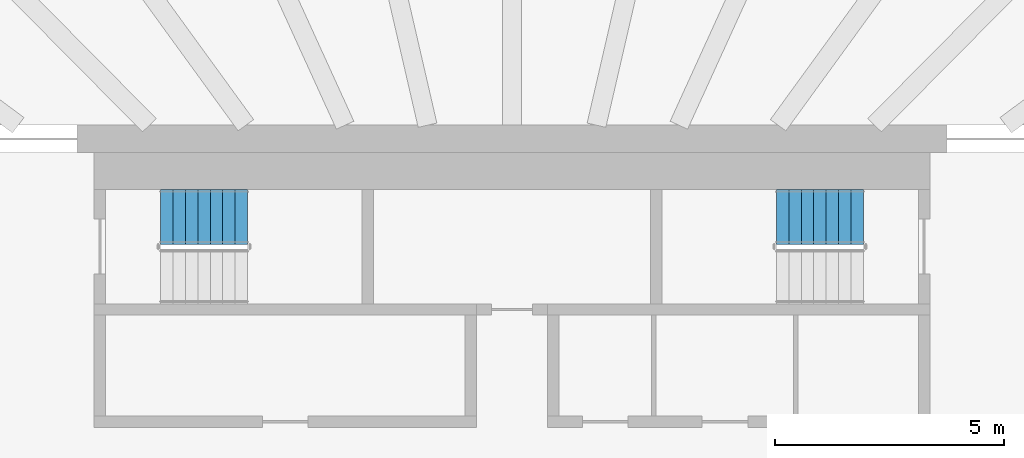
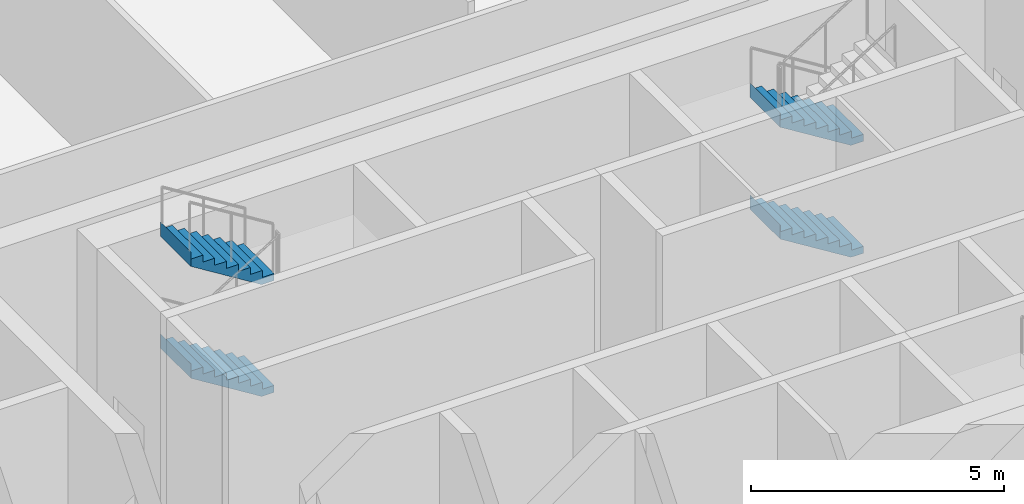
# One storey, part 11 of 18: 4 stair flights, 2 elements without a shape of their own.
"""IFC4 building model written with IfcOpenShell, lengths in metres."""

from ifc_helpers import new_model, si_unit, direction, frame, origin, place, context, subcontext, project, spatial, triangles, material, type_object, element, aggregate, save


model = new_model("IFC4")

# Units and contexts
model_context = context("Model", 3, precision=1e-05, world=origin(), true_north=direction((0.0, 1.0)))
body_context = subcontext(model_context, "Body", "Model", "MODEL_VIEW")
ifc_project = project(units=[si_unit("LENGTHUNIT", "METRE"), si_unit("AREAUNIT", "SQUARE_METRE"), si_unit("VOLUMEUNIT", "CUBIC_METRE"), si_unit("PLANEANGLEUNIT", "RADIAN"), si_unit("MASSUNIT", "GRAM", prefix="KILO")], contexts=[model_context])

# Site, building, storey
site_placement = place(None, origin())
site = spatial("IfcSite", under=ifc_project, at=site_placement, CompositionType="ELEMENT")
building_placement = place(site_placement, origin())
building = spatial("IfcBuilding", under=site, at=building_placement, Name="Sahrelin Media Tower", CompositionType="ELEMENT")
storey_placement = place(building_placement, frame((0.0, 0.0, 96.60009765625)))
storey = spatial("IfcBuildingStorey", under=building, at=storey_placement, Name="L18", CompositionType="ELEMENT", Elevation=96.60009765625)

# Stair, stair flights
ifc_material = material(Name="Concrete C40/50", Category="concrete")
stair_type = type_object("IfcStairType", Name="Exit stair 1200", PredefinedType="HALF_TURN_STAIR", material=ifc_material)
placement = place(storey_placement, origin())
stair_1 = element("IfcStair", 1, at=placement, inside=storey, type_object=stair_type, Name="L18 Exit stair ST1", PredefinedType="HALF_TURN_STAIR")
stair_flight_type = type_object("IfcStairFlightType", Name="Stair flight 1200", PredefinedType="STRAIGHT", material=ifc_material)
stair_flight_1_placement = place(storey_placement, frame((-5.77490234375, 6.0, 1.349853515625), z_axis=(0.0, 0.0, 1.0), x_axis=(-1.0, 0.0, 0.0)))
stair_flight_1 = element("IfcStairFlight", 2, at=stair_flight_1_placement, type_object=stair_flight_type, Name="ST1 flight 2", NumberOfRisers=8, NumberOfTreads=7, PredefinedType="STRAIGHT", RiserHeight=0.16875, TreadLength=0.271428571, context=body_context, shape_type="Tessellation", body=[
    triangles([(0.283935546875, 0.60009765625, 0.0), (0.283935546875, 0.300048828125, 0.0), (0.283935546875, 0.0, 0.0), (0.283935546875, -0.300048828125, 0.0), (0.283935546875, -0.60009765625, 0.0), (1.89990234375, 0.60009765625, 1.004638671875), (1.89990234375, 0.300048828125, 1.004638671875), (1.89990234375, 0.0, 1.004638671875), (1.89990234375, -0.300048828125, 1.004638671875), (1.89990234375, -0.60009765625, 1.004638671875), (1.89990234375, 0.60009765625, 1.35009765625), (1.89990234375, 0.300048828125, 1.35009765625), (1.89990234375, 0.0, 1.35009765625), (1.89990234375, -0.300048828125, 1.35009765625), (1.89990234375, -0.60009765625, 1.35009765625), (1.89794921875, 0.60009765625, 1.35009765625), (1.89794921875, 0.300048828125, 1.35009765625), (1.89794921875, 0.0, 1.35009765625), (1.89794921875, -0.300048828125, 1.35009765625), (1.89794921875, -0.60009765625, 1.35009765625), (1.89794921875, 0.60009765625, 1.18115234375), (1.89794921875, 0.300048828125, 1.18115234375), (1.89794921875, 0.0, 1.18115234375), (1.89794921875, -0.300048828125, 1.18115234375), (1.89794921875, -0.60009765625, 1.18115234375), (1.628662109375, 0.60009765625, 1.18115234375), (1.628662109375, 0.300048828125, 1.18115234375), (1.628662109375, 0.0, 1.18115234375), (1.628662109375, -0.300048828125, 1.18115234375), (1.628662109375, -0.60009765625, 1.18115234375), (1.628662109375, 0.60009765625, 1.012451171875), (1.628662109375, 0.300048828125, 1.012451171875), (1.628662109375, 0.0, 1.012451171875), (1.628662109375, -0.300048828125, 1.012451171875), (1.628662109375, -0.60009765625, 1.012451171875), (1.357177734375, 0.60009765625, 1.012451171875), (1.357177734375, 0.300048828125, 1.012451171875), (1.357177734375, 0.0, 1.012451171875), (1.357177734375, -0.300048828125, 1.012451171875), (1.357177734375, -0.60009765625, 1.012451171875), (1.357177734375, 0.60009765625, 0.84375), (1.357177734375, 0.300048828125, 0.84375), (1.357177734375, 0.0, 0.84375), (1.357177734375, -0.300048828125, 0.84375), (1.357177734375, -0.60009765625, 0.84375), (1.085693359375, 0.60009765625, 0.84375), (1.085693359375, 0.300048828125, 0.84375), (1.085693359375, 0.0, 0.84375), (1.085693359375, -0.300048828125, 0.84375), (1.085693359375, -0.60009765625, 0.84375), (1.085693359375, 0.60009765625, 0.675048828125), (1.085693359375, 0.300048828125, 0.675048828125), (1.085693359375, 0.0, 0.675048828125), (1.085693359375, -0.300048828125, 0.675048828125), (1.085693359375, -0.60009765625, 0.675048828125), (0.814208984375, 0.60009765625, 0.675048828125), (0.814208984375, 0.300048828125, 0.675048828125), (0.814208984375, 0.0, 0.675048828125), (0.814208984375, -0.300048828125, 0.675048828125), (0.814208984375, -0.60009765625, 0.675048828125), (0.814208984375, 0.60009765625, 0.50634765625), (0.814208984375, 0.300048828125, 0.50634765625), (0.814208984375, 0.0, 0.50634765625), (0.814208984375, -0.300048828125, 0.50634765625), (0.814208984375, -0.60009765625, 0.50634765625), (0.54296875, 0.60009765625, 0.50634765625), (0.54296875, 0.300048828125, 0.50634765625), (0.54296875, 0.0, 0.50634765625), (0.54296875, -0.300048828125, 0.50634765625), (0.54296875, -0.60009765625, 0.50634765625), (0.54296875, 0.60009765625, 0.33740234375), (0.54296875, 0.300048828125, 0.33740234375), (0.54296875, 0.0, 0.33740234375), (0.54296875, -0.300048828125, 0.33740234375), (0.54296875, -0.60009765625, 0.33740234375), (0.271484375, 0.60009765625, 0.33740234375), (0.271484375, 0.300048828125, 0.33740234375), (0.271484375, 0.0, 0.33740234375), (0.271484375, -0.300048828125, 0.33740234375), (0.271484375, -0.60009765625, 0.33740234375), (0.271484375, 0.60009765625, 0.168701171875), (0.271484375, 0.300048828125, 0.168701171875), (0.271484375, 0.0, 0.168701171875), (0.271484375, -0.300048828125, 0.168701171875), (0.271484375, -0.60009765625, 0.168701171875), (0.0, 0.60009765625, 0.168701171875), (0.0, 0.300048828125, 0.168701171875), (0.0, 0.0, 0.168701171875), (0.0, -0.300048828125, 0.168701171875), (0.0, -0.60009765625, 0.168701171875), (0.0, 0.60009765625, 0.0), (0.0, 0.300048828125, 0.0), (0.0, 0.0, 0.0), (0.0, -0.300048828125, 0.0), (0.0, -0.60009765625, 0.0)], [[1, 6, 7], [1, 7, 2], [2, 7, 8], [2, 8, 3], [3, 8, 9], [3, 9, 4], [4, 9, 10], [4, 10, 5], [6, 11, 12], [6, 12, 7], [7, 12, 13], [7, 13, 8], [8, 13, 14], [8, 14, 9], [9, 14, 15], [9, 15, 10], [11, 16, 17], [11, 17, 12], [12, 17, 18], [12, 18, 13], [13, 18, 19], [13, 19, 14], [14, 19, 20], [14, 20, 15], [16, 21, 22], [16, 22, 17], [17, 22, 23], [17, 23, 18], [18, 23, 24], [18, 24, 19], [19, 24, 25], [19, 25, 20], [21, 26, 27], [21, 27, 22], [22, 27, 28], [22, 28, 23], [23, 28, 29], [23, 29, 24], [24, 29, 30], [24, 30, 25], [26, 31, 32], [26, 32, 27], [27, 32, 33], [27, 33, 28], [28, 33, 34], [28, 34, 29], [29, 34, 35], [29, 35, 30], [31, 36, 37], [31, 37, 32], [32, 37, 38], [32, 38, 33], [33, 38, 39], [33, 39, 34], [34, 39, 40], [34, 40, 35], [36, 41, 42], [36, 42, 37], [37, 42, 43], [37, 43, 38], [38, 43, 44], [38, 44, 39], [39, 44, 45], [39, 45, 40], [41, 46, 47], [41, 47, 42], [42, 47, 48], [42, 48, 43], [43, 48, 49], [43, 49, 44], [44, 49, 50], [44, 50, 45], [46, 51, 52], [46, 52, 47], [47, 52, 53], [47, 53, 48], [48, 53, 54], [48, 54, 49], [49, 54, 55], [49, 55, 50], [51, 56, 57], [51, 57, 52], [52, 57, 58], [52, 58, 53], [53, 58, 59], [53, 59, 54], [54, 59, 60], [54, 60, 55], [56, 61, 62], [56, 62, 57], [57, 62, 63], [57, 63, 58], [58, 63, 64], [58, 64, 59], [59, 64, 65], [59, 65, 60], [61, 66, 67], [61, 67, 62], [62, 67, 68], [62, 68, 63], [63, 68, 69], [63, 69, 64], [64, 69, 70], [64, 70, 65], [66, 71, 72], [66, 72, 67], [67, 72, 73], [67, 73, 68], [68, 73, 74], [68, 74, 69], [69, 74, 75], [69, 75, 70], [71, 76, 77], [71, 77, 72], [72, 77, 78], [72, 78, 73], [73, 78, 79], [73, 79, 74], [74, 79, 80], [74, 80, 75], [76, 81, 82], [76, 82, 77], [77, 82, 83], [77, 83, 78], [78, 83, 84], [78, 84, 79], [79, 84, 85], [79, 85, 80], [81, 86, 87], [81, 87, 82], [82, 87, 88], [82, 88, 83], [83, 88, 89], [83, 89, 84], [84, 89, 90], [84, 90, 85], [86, 91, 92], [86, 92, 87], [87, 92, 93], [87, 93, 88], [88, 93, 94], [88, 94, 89], [89, 94, 95], [89, 95, 90], [91, 1, 2], [91, 2, 92], [92, 2, 3], [92, 3, 93], [93, 3, 4], [93, 4, 94], [94, 4, 5], [94, 5, 95], [85, 90, 95], [81, 91, 86], [85, 75, 80], [81, 76, 71], [75, 65, 70], [71, 66, 61], [65, 55, 60], [61, 56, 51], [55, 45, 50], [51, 46, 41], [45, 35, 40], [41, 36, 31], [35, 25, 30], [31, 26, 21], [25, 15, 20], [21, 16, 11], [95, 5, 85], [91, 81, 1], [5, 55, 65], [1, 61, 51], [25, 10, 15], [21, 11, 6], [75, 85, 5], [71, 1, 81], [10, 45, 55], [6, 51, 41], [35, 10, 25], [31, 21, 6], [65, 75, 5], [61, 1, 71], [45, 10, 35], [41, 31, 6], [5, 10, 55], [1, 51, 6]], closed=True),
])
stair_flight_2_placement = place(storey_placement, frame((-5.77490234375, 6.0, 4.0498046875), z_axis=(0.0, 0.0, 1.0), x_axis=(-1.0, 0.0, 0.0)))
stair_flight_2 = element("IfcStairFlight", 3, at=stair_flight_2_placement, type_object=stair_flight_type, Name="ST1 flight 4", NumberOfRisers=8, NumberOfTreads=7, PredefinedType="STRAIGHT", RiserHeight=0.16875, TreadLength=0.271428571, context=body_context, shape_type="Tessellation", body=[
    triangles([(0.283935546875, 0.60009765625, 0.0), (0.283935546875, 0.300048828125, 0.0), (0.283935546875, 0.0, 0.0), (0.283935546875, -0.300048828125, 0.0), (0.283935546875, -0.60009765625, 0.0), (1.89990234375, 0.60009765625, 1.004638671875), (1.89990234375, 0.300048828125, 1.004638671875), (1.89990234375, 0.0, 1.004638671875), (1.89990234375, -0.300048828125, 1.004638671875), (1.89990234375, -0.60009765625, 1.004638671875), (1.89990234375, 0.60009765625, 1.35009765625), (1.89990234375, 0.300048828125, 1.35009765625), (1.89990234375, 0.0, 1.35009765625), (1.89990234375, -0.300048828125, 1.35009765625), (1.89990234375, -0.60009765625, 1.35009765625), (1.89794921875, 0.60009765625, 1.35009765625), (1.89794921875, 0.300048828125, 1.35009765625), (1.89794921875, 0.0, 1.35009765625), (1.89794921875, -0.300048828125, 1.35009765625), (1.89794921875, -0.60009765625, 1.35009765625), (1.89794921875, 0.60009765625, 1.18115234375), (1.89794921875, 0.300048828125, 1.18115234375), (1.89794921875, 0.0, 1.18115234375), (1.89794921875, -0.300048828125, 1.18115234375), (1.89794921875, -0.60009765625, 1.18115234375), (1.628662109375, 0.60009765625, 1.18115234375), (1.628662109375, 0.300048828125, 1.18115234375), (1.628662109375, 0.0, 1.18115234375), (1.628662109375, -0.300048828125, 1.18115234375), (1.628662109375, -0.60009765625, 1.18115234375), (1.628662109375, 0.60009765625, 1.012451171875), (1.628662109375, 0.300048828125, 1.012451171875), (1.628662109375, 0.0, 1.012451171875), (1.628662109375, -0.300048828125, 1.012451171875), (1.628662109375, -0.60009765625, 1.012451171875), (1.357177734375, 0.60009765625, 1.012451171875), (1.357177734375, 0.300048828125, 1.012451171875), (1.357177734375, 0.0, 1.012451171875), (1.357177734375, -0.300048828125, 1.012451171875), (1.357177734375, -0.60009765625, 1.012451171875), (1.357177734375, 0.60009765625, 0.84375), (1.357177734375, 0.300048828125, 0.84375), (1.357177734375, 0.0, 0.84375), (1.357177734375, -0.300048828125, 0.84375), (1.357177734375, -0.60009765625, 0.84375), (1.085693359375, 0.60009765625, 0.84375), (1.085693359375, 0.300048828125, 0.84375), (1.085693359375, 0.0, 0.84375), (1.085693359375, -0.300048828125, 0.84375), (1.085693359375, -0.60009765625, 0.84375), (1.085693359375, 0.60009765625, 0.675048828125), (1.085693359375, 0.300048828125, 0.675048828125), (1.085693359375, 0.0, 0.675048828125), (1.085693359375, -0.300048828125, 0.675048828125), (1.085693359375, -0.60009765625, 0.675048828125), (0.814208984375, 0.60009765625, 0.675048828125), (0.814208984375, 0.300048828125, 0.675048828125), (0.814208984375, 0.0, 0.675048828125), (0.814208984375, -0.300048828125, 0.675048828125), (0.814208984375, -0.60009765625, 0.675048828125), (0.814208984375, 0.60009765625, 0.50634765625), (0.814208984375, 0.300048828125, 0.50634765625), (0.814208984375, 0.0, 0.50634765625), (0.814208984375, -0.300048828125, 0.50634765625), (0.814208984375, -0.60009765625, 0.50634765625), (0.54296875, 0.60009765625, 0.50634765625), (0.54296875, 0.300048828125, 0.50634765625), (0.54296875, 0.0, 0.50634765625), (0.54296875, -0.300048828125, 0.50634765625), (0.54296875, -0.60009765625, 0.50634765625), (0.54296875, 0.60009765625, 0.33740234375), (0.54296875, 0.300048828125, 0.33740234375), (0.54296875, 0.0, 0.33740234375), (0.54296875, -0.300048828125, 0.33740234375), (0.54296875, -0.60009765625, 0.33740234375), (0.271484375, 0.60009765625, 0.33740234375), (0.271484375, 0.300048828125, 0.33740234375), (0.271484375, 0.0, 0.33740234375), (0.271484375, -0.300048828125, 0.33740234375), (0.271484375, -0.60009765625, 0.33740234375), (0.271484375, 0.60009765625, 0.168701171875), (0.271484375, 0.300048828125, 0.168701171875), (0.271484375, 0.0, 0.168701171875), (0.271484375, -0.300048828125, 0.168701171875), (0.271484375, -0.60009765625, 0.168701171875), (0.0, 0.60009765625, 0.168701171875), (0.0, 0.300048828125, 0.168701171875), (0.0, 0.0, 0.168701171875), (0.0, -0.300048828125, 0.168701171875), (0.0, -0.60009765625, 0.168701171875), (0.0, 0.60009765625, 0.0), (0.0, 0.300048828125, 0.0), (0.0, 0.0, 0.0), (0.0, -0.300048828125, 0.0), (0.0, -0.60009765625, 0.0)], [[1, 6, 7], [1, 7, 2], [2, 7, 8], [2, 8, 3], [3, 8, 9], [3, 9, 4], [4, 9, 10], [4, 10, 5], [6, 11, 12], [6, 12, 7], [7, 12, 13], [7, 13, 8], [8, 13, 14], [8, 14, 9], [9, 14, 15], [9, 15, 10], [11, 16, 17], [11, 17, 12], [12, 17, 18], [12, 18, 13], [13, 18, 19], [13, 19, 14], [14, 19, 20], [14, 20, 15], [16, 21, 22], [16, 22, 17], [17, 22, 23], [17, 23, 18], [18, 23, 24], [18, 24, 19], [19, 24, 25], [19, 25, 20], [21, 26, 27], [21, 27, 22], [22, 27, 28], [22, 28, 23], [23, 28, 29], [23, 29, 24], [24, 29, 30], [24, 30, 25], [26, 31, 32], [26, 32, 27], [27, 32, 33], [27, 33, 28], [28, 33, 34], [28, 34, 29], [29, 34, 35], [29, 35, 30], [31, 36, 37], [31, 37, 32], [32, 37, 38], [32, 38, 33], [33, 38, 39], [33, 39, 34], [34, 39, 40], [34, 40, 35], [36, 41, 42], [36, 42, 37], [37, 42, 43], [37, 43, 38], [38, 43, 44], [38, 44, 39], [39, 44, 45], [39, 45, 40], [41, 46, 47], [41, 47, 42], [42, 47, 48], [42, 48, 43], [43, 48, 49], [43, 49, 44], [44, 49, 50], [44, 50, 45], [46, 51, 52], [46, 52, 47], [47, 52, 53], [47, 53, 48], [48, 53, 54], [48, 54, 49], [49, 54, 55], [49, 55, 50], [51, 56, 57], [51, 57, 52], [52, 57, 58], [52, 58, 53], [53, 58, 59], [53, 59, 54], [54, 59, 60], [54, 60, 55], [56, 61, 62], [56, 62, 57], [57, 62, 63], [57, 63, 58], [58, 63, 64], [58, 64, 59], [59, 64, 65], [59, 65, 60], [61, 66, 67], [61, 67, 62], [62, 67, 68], [62, 68, 63], [63, 68, 69], [63, 69, 64], [64, 69, 70], [64, 70, 65], [66, 71, 72], [66, 72, 67], [67, 72, 73], [67, 73, 68], [68, 73, 74], [68, 74, 69], [69, 74, 75], [69, 75, 70], [71, 76, 77], [71, 77, 72], [72, 77, 78], [72, 78, 73], [73, 78, 79], [73, 79, 74], [74, 79, 80], [74, 80, 75], [76, 81, 82], [76, 82, 77], [77, 82, 83], [77, 83, 78], [78, 83, 84], [78, 84, 79], [79, 84, 85], [79, 85, 80], [81, 86, 87], [81, 87, 82], [82, 87, 88], [82, 88, 83], [83, 88, 89], [83, 89, 84], [84, 89, 90], [84, 90, 85], [86, 91, 92], [86, 92, 87], [87, 92, 93], [87, 93, 88], [88, 93, 94], [88, 94, 89], [89, 94, 95], [89, 95, 90], [91, 1, 2], [91, 2, 92], [92, 2, 3], [92, 3, 93], [93, 3, 4], [93, 4, 94], [94, 4, 5], [94, 5, 95], [85, 90, 95], [81, 91, 86], [85, 75, 80], [81, 76, 71], [75, 65, 70], [71, 66, 61], [65, 55, 60], [61, 56, 51], [55, 45, 50], [51, 46, 41], [45, 35, 40], [41, 36, 31], [35, 25, 30], [31, 26, 21], [25, 15, 20], [21, 16, 11], [95, 5, 85], [91, 81, 1], [5, 55, 65], [1, 61, 51], [25, 10, 15], [21, 11, 6], [75, 85, 5], [71, 1, 81], [10, 45, 55], [6, 51, 41], [35, 10, 25], [31, 21, 6], [65, 75, 5], [61, 1, 71], [45, 10, 35], [41, 31, 6], [5, 10, 55], [1, 51, 6]], closed=True),
])
aggregate(stair_1, [stair_flight_1, stair_flight_2])

stair_2 = element("IfcStair", 4, at=placement, inside=storey, type_object=stair_type, Name="L18 Exit stair ST3", PredefinedType="HALF_TURN_STAIR")
stair_flight_3_placement = place(storey_placement, frame((7.675048828125, 6.0, 0.0), z_axis=(0.0, 0.0, 1.0), x_axis=(-1.0, 0.0, 0.0)))
stair_flight_3 = element("IfcStairFlight", 5, at=stair_flight_3_placement, type_object=stair_flight_type, Name="ST3 flight 1", NumberOfRisers=8, NumberOfTreads=7, PredefinedType="STRAIGHT", RiserHeight=0.16875, TreadLength=0.271428571, context=body_context, shape_type="Tessellation", body=[
    triangles([(0.283935546875, 0.60009765625, 0.0), (0.283935546875, 0.300048828125, 0.0), (0.283935546875, 0.0, 0.0), (0.283935546875, -0.300048828125, 0.0), (0.283935546875, -0.60009765625, 0.0), (1.89990234375, 0.60009765625, 1.004638671875), (1.89990234375, 0.300048828125, 1.004638671875), (1.89990234375, 0.0, 1.004638671875), (1.89990234375, -0.300048828125, 1.004638671875), (1.89990234375, -0.60009765625, 1.004638671875), (1.89990234375, 0.60009765625, 1.35009765625), (1.89990234375, 0.300048828125, 1.35009765625), (1.89990234375, 0.0, 1.35009765625), (1.89990234375, -0.300048828125, 1.35009765625), (1.89990234375, -0.60009765625, 1.35009765625), (1.89794921875, 0.60009765625, 1.35009765625), (1.89794921875, 0.300048828125, 1.35009765625), (1.89794921875, 0.0, 1.35009765625), (1.89794921875, -0.300048828125, 1.35009765625), (1.89794921875, -0.60009765625, 1.35009765625), (1.89794921875, 0.60009765625, 1.18115234375), (1.89794921875, 0.300048828125, 1.18115234375), (1.89794921875, 0.0, 1.18115234375), (1.89794921875, -0.300048828125, 1.18115234375), (1.89794921875, -0.60009765625, 1.18115234375), (1.628662109375, 0.60009765625, 1.18115234375), (1.628662109375, 0.300048828125, 1.18115234375), (1.628662109375, 0.0, 1.18115234375), (1.628662109375, -0.300048828125, 1.18115234375), (1.628662109375, -0.60009765625, 1.18115234375), (1.628662109375, 0.60009765625, 1.012451171875), (1.628662109375, 0.300048828125, 1.012451171875), (1.628662109375, 0.0, 1.012451171875), (1.628662109375, -0.300048828125, 1.012451171875), (1.628662109375, -0.60009765625, 1.012451171875), (1.357177734375, 0.60009765625, 1.012451171875), (1.357177734375, 0.300048828125, 1.012451171875), (1.357177734375, 0.0, 1.012451171875), (1.357177734375, -0.300048828125, 1.012451171875), (1.357177734375, -0.60009765625, 1.012451171875), (1.357177734375, 0.60009765625, 0.84375), (1.357177734375, 0.300048828125, 0.84375), (1.357177734375, 0.0, 0.84375), (1.357177734375, -0.300048828125, 0.84375), (1.357177734375, -0.60009765625, 0.84375), (1.085693359375, 0.60009765625, 0.84375), (1.085693359375, 0.300048828125, 0.84375), (1.085693359375, 0.0, 0.84375), (1.085693359375, -0.300048828125, 0.84375), (1.085693359375, -0.60009765625, 0.84375), (1.085693359375, 0.60009765625, 0.675048828125), (1.085693359375, 0.300048828125, 0.675048828125), (1.085693359375, 0.0, 0.675048828125), (1.085693359375, -0.300048828125, 0.675048828125), (1.085693359375, -0.60009765625, 0.675048828125), (0.814208984375, 0.60009765625, 0.675048828125), (0.814208984375, 0.300048828125, 0.675048828125), (0.814208984375, 0.0, 0.675048828125), (0.814208984375, -0.300048828125, 0.675048828125), (0.814208984375, -0.60009765625, 0.675048828125), (0.814208984375, 0.60009765625, 0.50634765625), (0.814208984375, 0.300048828125, 0.50634765625), (0.814208984375, 0.0, 0.50634765625), (0.814208984375, -0.300048828125, 0.50634765625), (0.814208984375, -0.60009765625, 0.50634765625), (0.54296875, 0.60009765625, 0.50634765625), (0.54296875, 0.300048828125, 0.50634765625), (0.54296875, 0.0, 0.50634765625), (0.54296875, -0.300048828125, 0.50634765625), (0.54296875, -0.60009765625, 0.50634765625), (0.54296875, 0.60009765625, 0.33740234375), (0.54296875, 0.300048828125, 0.33740234375), (0.54296875, 0.0, 0.33740234375), (0.54296875, -0.300048828125, 0.33740234375), (0.54296875, -0.60009765625, 0.33740234375), (0.271484375, 0.60009765625, 0.33740234375), (0.271484375, 0.300048828125, 0.33740234375), (0.271484375, 0.0, 0.33740234375), (0.271484375, -0.300048828125, 0.33740234375), (0.271484375, -0.60009765625, 0.33740234375), (0.271484375, 0.60009765625, 0.168701171875), (0.271484375, 0.300048828125, 0.168701171875), (0.271484375, 0.0, 0.168701171875), (0.271484375, -0.300048828125, 0.168701171875), (0.271484375, -0.60009765625, 0.168701171875), (0.0, 0.60009765625, 0.168701171875), (0.0, 0.300048828125, 0.168701171875), (0.0, 0.0, 0.168701171875), (0.0, -0.300048828125, 0.168701171875), (0.0, -0.60009765625, 0.168701171875), (0.0, 0.60009765625, 0.0), (0.0, 0.300048828125, 0.0), (0.0, 0.0, 0.0), (0.0, -0.300048828125, 0.0), (0.0, -0.60009765625, 0.0)], [[1, 6, 7], [1, 7, 2], [2, 7, 8], [2, 8, 3], [3, 8, 9], [3, 9, 4], [4, 9, 10], [4, 10, 5], [6, 11, 12], [6, 12, 7], [7, 12, 13], [7, 13, 8], [8, 13, 14], [8, 14, 9], [9, 14, 15], [9, 15, 10], [11, 16, 17], [11, 17, 12], [12, 17, 18], [12, 18, 13], [13, 18, 19], [13, 19, 14], [14, 19, 20], [14, 20, 15], [16, 21, 22], [16, 22, 17], [17, 22, 23], [17, 23, 18], [18, 23, 24], [18, 24, 19], [19, 24, 25], [19, 25, 20], [21, 26, 27], [21, 27, 22], [22, 27, 28], [22, 28, 23], [23, 28, 29], [23, 29, 24], [24, 29, 30], [24, 30, 25], [26, 31, 32], [26, 32, 27], [27, 32, 33], [27, 33, 28], [28, 33, 34], [28, 34, 29], [29, 34, 35], [29, 35, 30], [31, 36, 37], [31, 37, 32], [32, 37, 38], [32, 38, 33], [33, 38, 39], [33, 39, 34], [34, 39, 40], [34, 40, 35], [36, 41, 42], [36, 42, 37], [37, 42, 43], [37, 43, 38], [38, 43, 44], [38, 44, 39], [39, 44, 45], [39, 45, 40], [41, 46, 47], [41, 47, 42], [42, 47, 48], [42, 48, 43], [43, 48, 49], [43, 49, 44], [44, 49, 50], [44, 50, 45], [46, 51, 52], [46, 52, 47], [47, 52, 53], [47, 53, 48], [48, 53, 54], [48, 54, 49], [49, 54, 55], [49, 55, 50], [51, 56, 57], [51, 57, 52], [52, 57, 58], [52, 58, 53], [53, 58, 59], [53, 59, 54], [54, 59, 60], [54, 60, 55], [56, 61, 62], [56, 62, 57], [57, 62, 63], [57, 63, 58], [58, 63, 64], [58, 64, 59], [59, 64, 65], [59, 65, 60], [61, 66, 67], [61, 67, 62], [62, 67, 68], [62, 68, 63], [63, 68, 69], [63, 69, 64], [64, 69, 70], [64, 70, 65], [66, 71, 72], [66, 72, 67], [67, 72, 73], [67, 73, 68], [68, 73, 74], [68, 74, 69], [69, 74, 75], [69, 75, 70], [71, 76, 77], [71, 77, 72], [72, 77, 78], [72, 78, 73], [73, 78, 79], [73, 79, 74], [74, 79, 80], [74, 80, 75], [76, 81, 82], [76, 82, 77], [77, 82, 83], [77, 83, 78], [78, 83, 84], [78, 84, 79], [79, 84, 85], [79, 85, 80], [81, 86, 87], [81, 87, 82], [82, 87, 88], [82, 88, 83], [83, 88, 89], [83, 89, 84], [84, 89, 90], [84, 90, 85], [86, 91, 92], [86, 92, 87], [87, 92, 93], [87, 93, 88], [88, 93, 94], [88, 94, 89], [89, 94, 95], [89, 95, 90], [91, 1, 2], [91, 2, 92], [92, 2, 3], [92, 3, 93], [93, 3, 4], [93, 4, 94], [94, 4, 5], [94, 5, 95], [85, 90, 95], [81, 91, 86], [85, 75, 80], [81, 76, 71], [75, 65, 70], [71, 66, 61], [65, 55, 60], [61, 56, 51], [55, 45, 50], [51, 46, 41], [45, 35, 40], [41, 36, 31], [35, 25, 30], [31, 26, 21], [25, 15, 20], [21, 16, 11], [95, 5, 85], [91, 81, 1], [5, 55, 65], [1, 61, 51], [25, 10, 15], [21, 11, 6], [75, 85, 5], [71, 1, 81], [10, 45, 55], [6, 51, 41], [35, 10, 25], [31, 21, 6], [65, 75, 5], [61, 1, 71], [45, 10, 35], [41, 31, 6], [5, 10, 55], [1, 51, 6]], closed=True),
])
stair_flight_4_placement = place(storey_placement, frame((7.675048828125, 6.0, 2.699951171875), z_axis=(0.0, 0.0, 1.0), x_axis=(-1.0, 0.0, 0.0)))
stair_flight_4 = element("IfcStairFlight", 6, at=stair_flight_4_placement, type_object=stair_flight_type, Name="ST3 flight 3", NumberOfRisers=8, NumberOfTreads=7, PredefinedType="STRAIGHT", RiserHeight=0.16875, TreadLength=0.271428571, context=body_context, shape_type="Tessellation", body=[
    triangles([(0.283935546875, 0.60009765625, 0.0), (0.283935546875, 0.300048828125, 0.0), (0.283935546875, 0.0, 0.0), (0.283935546875, -0.300048828125, 0.0), (0.283935546875, -0.60009765625, 0.0), (1.89990234375, 0.60009765625, 1.004638671875), (1.89990234375, 0.300048828125, 1.004638671875), (1.89990234375, 0.0, 1.004638671875), (1.89990234375, -0.300048828125, 1.004638671875), (1.89990234375, -0.60009765625, 1.004638671875), (1.89990234375, 0.60009765625, 1.35009765625), (1.89990234375, 0.300048828125, 1.35009765625), (1.89990234375, 0.0, 1.35009765625), (1.89990234375, -0.300048828125, 1.35009765625), (1.89990234375, -0.60009765625, 1.35009765625), (1.89794921875, 0.60009765625, 1.35009765625), (1.89794921875, 0.300048828125, 1.35009765625), (1.89794921875, 0.0, 1.35009765625), (1.89794921875, -0.300048828125, 1.35009765625), (1.89794921875, -0.60009765625, 1.35009765625), (1.89794921875, 0.60009765625, 1.18115234375), (1.89794921875, 0.300048828125, 1.18115234375), (1.89794921875, 0.0, 1.18115234375), (1.89794921875, -0.300048828125, 1.18115234375), (1.89794921875, -0.60009765625, 1.18115234375), (1.628662109375, 0.60009765625, 1.18115234375), (1.628662109375, 0.300048828125, 1.18115234375), (1.628662109375, 0.0, 1.18115234375), (1.628662109375, -0.300048828125, 1.18115234375), (1.628662109375, -0.60009765625, 1.18115234375), (1.628662109375, 0.60009765625, 1.012451171875), (1.628662109375, 0.300048828125, 1.012451171875), (1.628662109375, 0.0, 1.012451171875), (1.628662109375, -0.300048828125, 1.012451171875), (1.628662109375, -0.60009765625, 1.012451171875), (1.357177734375, 0.60009765625, 1.012451171875), (1.357177734375, 0.300048828125, 1.012451171875), (1.357177734375, 0.0, 1.012451171875), (1.357177734375, -0.300048828125, 1.012451171875), (1.357177734375, -0.60009765625, 1.012451171875), (1.357177734375, 0.60009765625, 0.84375), (1.357177734375, 0.300048828125, 0.84375), (1.357177734375, 0.0, 0.84375), (1.357177734375, -0.300048828125, 0.84375), (1.357177734375, -0.60009765625, 0.84375), (1.085693359375, 0.60009765625, 0.84375), (1.085693359375, 0.300048828125, 0.84375), (1.085693359375, 0.0, 0.84375), (1.085693359375, -0.300048828125, 0.84375), (1.085693359375, -0.60009765625, 0.84375), (1.085693359375, 0.60009765625, 0.675048828125), (1.085693359375, 0.300048828125, 0.675048828125), (1.085693359375, 0.0, 0.675048828125), (1.085693359375, -0.300048828125, 0.675048828125), (1.085693359375, -0.60009765625, 0.675048828125), (0.814208984375, 0.60009765625, 0.675048828125), (0.814208984375, 0.300048828125, 0.675048828125), (0.814208984375, 0.0, 0.675048828125), (0.814208984375, -0.300048828125, 0.675048828125), (0.814208984375, -0.60009765625, 0.675048828125), (0.814208984375, 0.60009765625, 0.50634765625), (0.814208984375, 0.300048828125, 0.50634765625), (0.814208984375, 0.0, 0.50634765625), (0.814208984375, -0.300048828125, 0.50634765625), (0.814208984375, -0.60009765625, 0.50634765625), (0.54296875, 0.60009765625, 0.50634765625), (0.54296875, 0.300048828125, 0.50634765625), (0.54296875, 0.0, 0.50634765625), (0.54296875, -0.300048828125, 0.50634765625), (0.54296875, -0.60009765625, 0.50634765625), (0.54296875, 0.60009765625, 0.33740234375), (0.54296875, 0.300048828125, 0.33740234375), (0.54296875, 0.0, 0.33740234375), (0.54296875, -0.300048828125, 0.33740234375), (0.54296875, -0.60009765625, 0.33740234375), (0.271484375, 0.60009765625, 0.33740234375), (0.271484375, 0.300048828125, 0.33740234375), (0.271484375, 0.0, 0.33740234375), (0.271484375, -0.300048828125, 0.33740234375), (0.271484375, -0.60009765625, 0.33740234375), (0.271484375, 0.60009765625, 0.168701171875), (0.271484375, 0.300048828125, 0.168701171875), (0.271484375, 0.0, 0.168701171875), (0.271484375, -0.300048828125, 0.168701171875), (0.271484375, -0.60009765625, 0.168701171875), (0.0, 0.60009765625, 0.168701171875), (0.0, 0.300048828125, 0.168701171875), (0.0, 0.0, 0.168701171875), (0.0, -0.300048828125, 0.168701171875), (0.0, -0.60009765625, 0.168701171875), (0.0, 0.60009765625, 0.0), (0.0, 0.300048828125, 0.0), (0.0, 0.0, 0.0), (0.0, -0.300048828125, 0.0), (0.0, -0.60009765625, 0.0)], [[1, 6, 7], [1, 7, 2], [2, 7, 8], [2, 8, 3], [3, 8, 9], [3, 9, 4], [4, 9, 10], [4, 10, 5], [6, 11, 12], [6, 12, 7], [7, 12, 13], [7, 13, 8], [8, 13, 14], [8, 14, 9], [9, 14, 15], [9, 15, 10], [11, 16, 17], [11, 17, 12], [12, 17, 18], [12, 18, 13], [13, 18, 19], [13, 19, 14], [14, 19, 20], [14, 20, 15], [16, 21, 22], [16, 22, 17], [17, 22, 23], [17, 23, 18], [18, 23, 24], [18, 24, 19], [19, 24, 25], [19, 25, 20], [21, 26, 27], [21, 27, 22], [22, 27, 28], [22, 28, 23], [23, 28, 29], [23, 29, 24], [24, 29, 30], [24, 30, 25], [26, 31, 32], [26, 32, 27], [27, 32, 33], [27, 33, 28], [28, 33, 34], [28, 34, 29], [29, 34, 35], [29, 35, 30], [31, 36, 37], [31, 37, 32], [32, 37, 38], [32, 38, 33], [33, 38, 39], [33, 39, 34], [34, 39, 40], [34, 40, 35], [36, 41, 42], [36, 42, 37], [37, 42, 43], [37, 43, 38], [38, 43, 44], [38, 44, 39], [39, 44, 45], [39, 45, 40], [41, 46, 47], [41, 47, 42], [42, 47, 48], [42, 48, 43], [43, 48, 49], [43, 49, 44], [44, 49, 50], [44, 50, 45], [46, 51, 52], [46, 52, 47], [47, 52, 53], [47, 53, 48], [48, 53, 54], [48, 54, 49], [49, 54, 55], [49, 55, 50], [51, 56, 57], [51, 57, 52], [52, 57, 58], [52, 58, 53], [53, 58, 59], [53, 59, 54], [54, 59, 60], [54, 60, 55], [56, 61, 62], [56, 62, 57], [57, 62, 63], [57, 63, 58], [58, 63, 64], [58, 64, 59], [59, 64, 65], [59, 65, 60], [61, 66, 67], [61, 67, 62], [62, 67, 68], [62, 68, 63], [63, 68, 69], [63, 69, 64], [64, 69, 70], [64, 70, 65], [66, 71, 72], [66, 72, 67], [67, 72, 73], [67, 73, 68], [68, 73, 74], [68, 74, 69], [69, 74, 75], [69, 75, 70], [71, 76, 77], [71, 77, 72], [72, 77, 78], [72, 78, 73], [73, 78, 79], [73, 79, 74], [74, 79, 80], [74, 80, 75], [76, 81, 82], [76, 82, 77], [77, 82, 83], [77, 83, 78], [78, 83, 84], [78, 84, 79], [79, 84, 85], [79, 85, 80], [81, 86, 87], [81, 87, 82], [82, 87, 88], [82, 88, 83], [83, 88, 89], [83, 89, 84], [84, 89, 90], [84, 90, 85], [86, 91, 92], [86, 92, 87], [87, 92, 93], [87, 93, 88], [88, 93, 94], [88, 94, 89], [89, 94, 95], [89, 95, 90], [91, 1, 2], [91, 2, 92], [92, 2, 3], [92, 3, 93], [93, 3, 4], [93, 4, 94], [94, 4, 5], [94, 5, 95], [85, 90, 95], [81, 91, 86], [85, 75, 80], [81, 76, 71], [75, 65, 70], [71, 66, 61], [65, 55, 60], [61, 56, 51], [55, 45, 50], [51, 46, 41], [45, 35, 40], [41, 36, 31], [35, 25, 30], [31, 26, 21], [25, 15, 20], [21, 16, 11], [95, 5, 85], [91, 81, 1], [5, 55, 65], [1, 61, 51], [25, 10, 15], [21, 11, 6], [75, 85, 5], [71, 1, 81], [10, 45, 55], [6, 51, 41], [35, 10, 25], [31, 21, 6], [65, 75, 5], [61, 1, 71], [45, 10, 35], [41, 31, 6], [5, 10, 55], [1, 51, 6]], closed=True),
])
aggregate(stair_2, [stair_flight_3, stair_flight_4])

save(model, "model.ifc")
